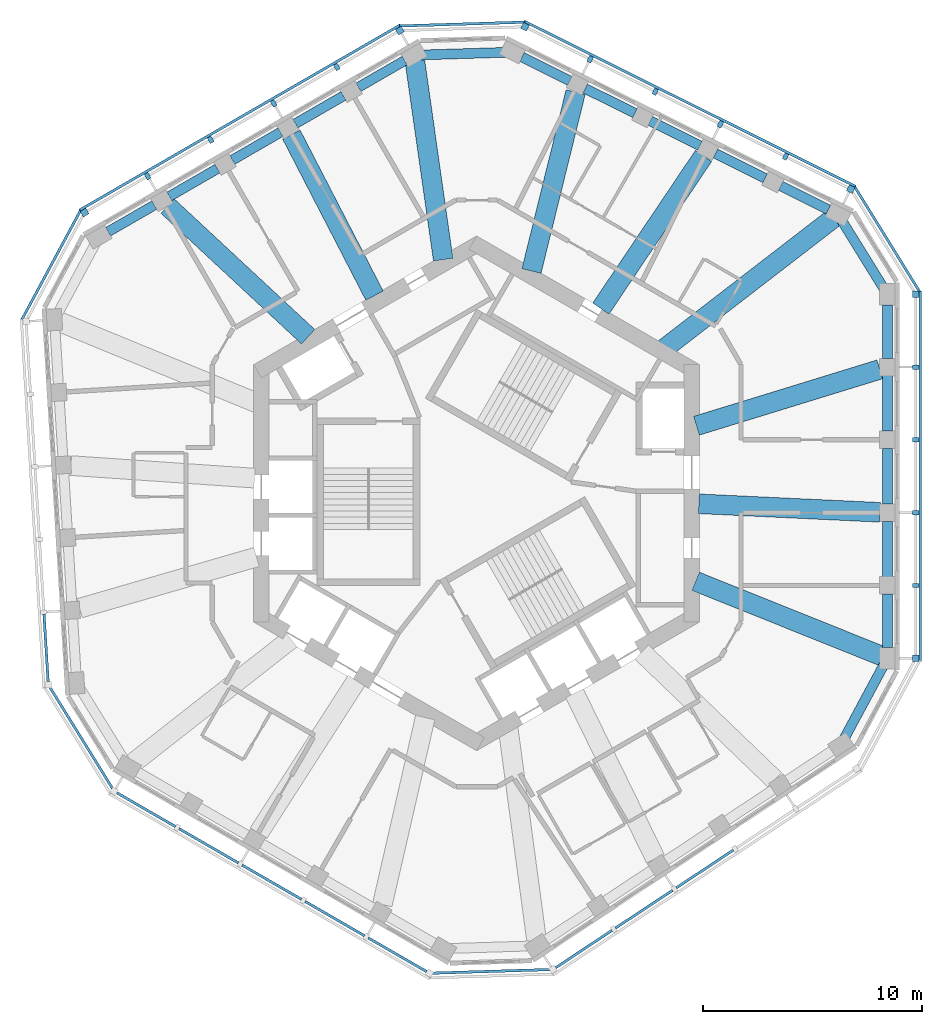
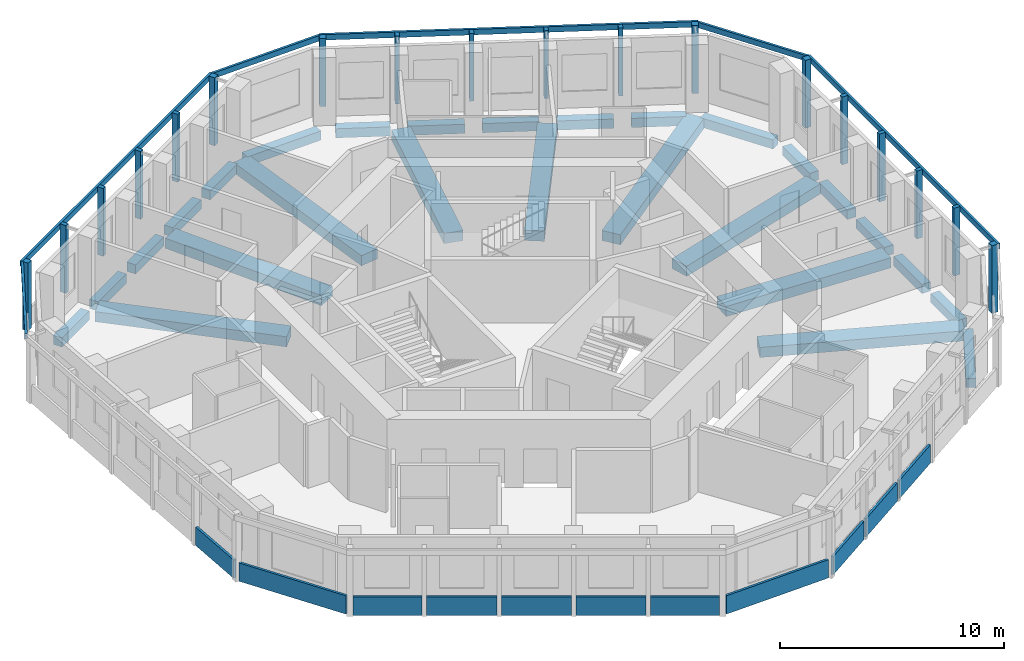
# One storey, part 2 of 11: 27 beams, 24 members, 11 plates, 11 elements without a shape of their own.
"""IFC4 building model written with IfcOpenShell, lengths in metres."""

from ifc_helpers import new_model, si_unit, direction, frame, origin, origin_2d, place, context, subcontext, project, spatial, rectangle, extrude, material, layer, layer_set, material_profile, profile_set, type_object, element, aggregate, save


model = new_model("IFC4")

# Units and contexts
model_context = context("Model", 3, precision=1e-05, world=origin(), true_north=direction((0.0, 1.0)))
body_context = subcontext(model_context, "Body", "Model", "MODEL_VIEW")
ifc_project = project(units=[si_unit("LENGTHUNIT", "METRE"), si_unit("AREAUNIT", "SQUARE_METRE"), si_unit("VOLUMEUNIT", "CUBIC_METRE"), si_unit("PLANEANGLEUNIT", "RADIAN"), si_unit("MASSUNIT", "GRAM", prefix="KILO")], contexts=[model_context])

# Site, building, storey
site_placement = place(None, origin())
site = spatial("IfcSite", under=ifc_project, at=site_placement, CompositionType="ELEMENT")
building_placement = place(site_placement, origin())
building = spatial("IfcBuilding", under=site, at=building_placement, Name="Vanh Sen Convention Tower", CompositionType="ELEMENT")
storey_placement = place(building_placement, frame((0.0, 0.0, 289.39990234375)))
storey = spatial("IfcBuildingStorey", under=building, at=storey_placement, Name="L71", CompositionType="ELEMENT", Elevation=289.39990234375)

# Curtain wall, members
ifc_material_1 = material(Name="Concrete C50/60", Category="concrete")
curtain_wall_type = type_object("IfcCurtainWallType", Name="Outer skin office zone", PredefinedType="NOTDEFINED", material=ifc_material_1)
curtain_wall_1_placement = place(storey_placement, origin())
curtain_wall_1 = element("IfcCurtainWall", 1, at=curtain_wall_1_placement, inside=storey, type_object=curtain_wall_type, Name="OUTER SKIN E L71", PredefinedType="NOTDEFINED")
ifc_material_profile_1 = material_profile(ifc_material_1, rectangle(XDim=0.300048828125, YDim=0.300048828125, at=origin_2d()), Name="Outer skin precast corner fin 300 x 300")
ifc_profile_set_1 = profile_set([ifc_material_profile_1], Name="Concrete C50/60")
member_type_1 = type_object("IfcMemberType", Name="Outer skin precast corner fin 300 x 300", PredefinedType="MULLION", material=ifc_profile_set_1)
member_1_placement = place(storey_placement, frame((20.10009765625, -7.546630859375, 0.0), z_axis=(0.0, 0.0, 1.0), x_axis=(0.0, 1.0, 0.0)))
member_1 = element("IfcMember", 2, at=member_1_placement, type_object=member_type_1, Name="OUTER SKIN CORNER FIN 1 E L71", PredefinedType="MULLION", context=body_context, shape_type="SweptSolid", body=[
    extrude(rectangle(XDim=0.300048828125, YDim=0.300048828125, at=origin_2d()), origin(), (0.0, 0.0, 1.0), 3.7001953125),
])
member_2_placement = place(storey_placement, frame((20.10009765625, 9.111572265625, 0.0), z_axis=(0.0, 0.0, 1.0), x_axis=(0.0, 1.0, 0.0)))
member_2 = element("IfcMember", 3, at=member_2_placement, type_object=member_type_1, Name="OUTER SKIN CORNER FIN 6 E L71", PredefinedType="MULLION", context=body_context, shape_type="SweptSolid", body=[
    extrude(rectangle(XDim=0.300048828125, YDim=0.300048828125, at=origin_2d()), origin(), (0.0, 0.0, 1.0), 3.7001953125),
])

curtain_wall_2_placement = place(storey_placement, origin())
curtain_wall_2 = element("IfcCurtainWall", 4, at=curtain_wall_2_placement, inside=storey, type_object=curtain_wall_type, Name="OUTER SKIN NE L71", PredefinedType="NOTDEFINED")
member_3_placement = place(storey_placement, frame((17.122802734375, 13.922607421875, 0.0), z_axis=(0.0, 0.0, 1.0), x_axis=(-0.894934361602, 0.44619781311, 0.0)))
member_3 = element("IfcMember", 5, at=member_3_placement, type_object=member_type_1, Name="OUTER SKIN CORNER FIN 1 NE L71", PredefinedType="MULLION", context=body_context, shape_type="SweptSolid", body=[
    extrude(rectangle(XDim=0.300048828125, YDim=0.300048828125, at=origin_2d()), origin(), (0.0, 0.0, 1.0), 3.7001953125),
])
member_4_placement = place(storey_placement, frame((2.21484375, 21.35546875, 0.0), z_axis=(0.0, 0.0, 1.0), x_axis=(-0.894934361602, 0.44619781311, 0.0)))
member_4 = element("IfcMember", 6, at=member_4_placement, type_object=member_type_1, Name="OUTER SKIN CORNER FIN 6 NE L71", PredefinedType="MULLION", context=body_context, shape_type="SweptSolid", body=[
    extrude(rectangle(XDim=0.300048828125, YDim=0.300048828125, at=origin_2d()), origin(), (0.0, 0.0, 1.0), 3.7001953125),
])

curtain_wall_3_placement = place(storey_placement, origin())
curtain_wall_3 = element("IfcCurtainWall", 7, at=curtain_wall_3_placement, inside=storey, type_object=curtain_wall_type, Name="OUTER SKIN NW L71", PredefinedType="NOTDEFINED")
member_5_placement = place(storey_placement, frame((-3.514404296875, 21.180419921875, 0.0), z_axis=(0.0, 0.0, 1.0), x_axis=(-0.866025403784, -0.5, 0.0)))
member_5 = element("IfcMember", 8, at=member_5_placement, type_object=member_type_1, Name="OUTER SKIN CORNER FIN 1 NW L71", PredefinedType="MULLION", context=body_context, shape_type="SweptSolid", body=[
    extrude(rectangle(XDim=0.300048828125, YDim=0.300048828125, at=origin_2d()), origin(), (0.0, 0.0, 1.0), 3.7001953125),
])
member_6_placement = place(storey_placement, frame((-17.94091796875, 12.851318359375, 0.0), z_axis=(0.0, 0.0, 1.0), x_axis=(-0.866025403784, -0.5, 0.0)))
member_6 = element("IfcMember", 9, at=member_6_placement, type_object=member_type_1, Name="OUTER SKIN CORNER FIN 6 NW L71", PredefinedType="MULLION", context=body_context, shape_type="SweptSolid", body=[
    extrude(rectangle(XDim=0.300048828125, YDim=0.300048828125, at=origin_2d()), origin(), (0.0, 0.0, 1.0), 3.7001953125),
])

# Member
ifc_material_profile_2 = material_profile(ifc_material_1, rectangle(XDim=0.199951171875, YDim=0.300048828125, at=origin_2d()), Name="Outer skin precast fin 200 x 300")
ifc_profile_set_2 = profile_set([ifc_material_profile_2], Name="Concrete C50/60")
member_type_2 = type_object("IfcMemberType", Name="Outer skin precast fin 200 x 300", PredefinedType="MULLION", material=ifc_profile_set_2)
member_7_placement = place(storey_placement, frame((20.10009765625, -4.215087890625, 0.0), z_axis=(0.0, 0.0, 1.0), x_axis=(0.0, 1.0, 0.0)))
member_7 = element("IfcMember", 10, at=member_7_placement, type_object=member_type_2, Name="OUTER SKIN fin 2 E L71", PredefinedType="MULLION", context=body_context, shape_type="SweptSolid", body=[
    extrude(rectangle(XDim=0.199951171875, YDim=0.300048828125, at=origin_2d()), origin(), (0.0, 0.0, 1.0), 3.7001953125),
])

member_8_placement = place(storey_placement, frame((20.10009765625, -0.88330078125, 0.0), z_axis=(0.0, 0.0, 1.0), x_axis=(0.0, 1.0, 0.0)))
member_8 = element("IfcMember", 11, at=member_8_placement, type_object=member_type_2, Name="OUTER SKIN fin 3 E L71", PredefinedType="MULLION", context=body_context, shape_type="SweptSolid", body=[
    extrude(rectangle(XDim=0.199951171875, YDim=0.300048828125, at=origin_2d()), origin(), (0.0, 0.0, 1.0), 3.7001953125),
])

member_9_placement = place(storey_placement, frame((20.10009765625, 2.4482421875, 0.0), z_axis=(0.0, 0.0, 1.0), x_axis=(0.0, 1.0, 0.0)))
member_9 = element("IfcMember", 12, at=member_9_placement, type_object=member_type_2, Name="OUTER SKIN fin 4 E L71", PredefinedType="MULLION", context=body_context, shape_type="SweptSolid", body=[
    extrude(rectangle(XDim=0.199951171875, YDim=0.300048828125, at=origin_2d()), origin(), (0.0, 0.0, 1.0), 3.7001953125),
])

member_10_placement = place(storey_placement, frame((20.10009765625, 5.77978515625, 0.0), z_axis=(0.0, 0.0, 1.0), x_axis=(0.0, 1.0, 0.0)))
member_10 = element("IfcMember", 13, at=member_10_placement, type_object=member_type_2, Name="OUTER SKIN fin 5 E L71", PredefinedType="MULLION", context=body_context, shape_type="SweptSolid", body=[
    extrude(rectangle(XDim=0.199951171875, YDim=0.300048828125, at=origin_2d()), origin(), (0.0, 0.0, 1.0), 3.7001953125),
])

member_11_placement = place(storey_placement, frame((14.14111328125, 15.4091796875, 0.0), z_axis=(0.0, 0.0, 1.0), x_axis=(-0.894934361602, 0.44619781311, 0.0)))
member_11 = element("IfcMember", 14, at=member_11_placement, type_object=member_type_2, Name="OUTER SKIN fin 2 NE L71", PredefinedType="MULLION", context=body_context, shape_type="SweptSolid", body=[
    extrude(rectangle(XDim=0.199951171875, YDim=0.300048828125, at=origin_2d()), origin(), (0.0, 0.0, 1.0), 3.7001953125),
])

member_12_placement = place(storey_placement, frame((11.15966796875, 16.895751953125, 0.0), z_axis=(0.0, 0.0, 1.0), x_axis=(-0.894934361602, 0.44619781311, 0.0)))
member_12 = element("IfcMember", 15, at=member_12_placement, type_object=member_type_2, Name="OUTER SKIN fin 3 NE L71", PredefinedType="MULLION", context=body_context, shape_type="SweptSolid", body=[
    extrude(rectangle(XDim=0.199951171875, YDim=0.300048828125, at=origin_2d()), origin(), (0.0, 0.0, 1.0), 3.7001953125),
])

member_13_placement = place(storey_placement, frame((8.177978515625, 18.38232421875, 0.0), z_axis=(0.0, 0.0, 1.0), x_axis=(-0.894934361602, 0.44619781311, 0.0)))
member_13 = element("IfcMember", 16, at=member_13_placement, type_object=member_type_2, Name="OUTER SKIN fin 4 NE L71", PredefinedType="MULLION", context=body_context, shape_type="SweptSolid", body=[
    extrude(rectangle(XDim=0.199951171875, YDim=0.300048828125, at=origin_2d()), origin(), (0.0, 0.0, 1.0), 3.7001953125),
])

member_14_placement = place(storey_placement, frame((5.1962890625, 19.868896484375, 0.0), z_axis=(0.0, 0.0, 1.0), x_axis=(-0.894934361602, 0.44619781311, 0.0)))
member_14 = element("IfcMember", 17, at=member_14_placement, type_object=member_type_2, Name="OUTER SKIN fin 5 NE L71", PredefinedType="MULLION", context=body_context, shape_type="SweptSolid", body=[
    extrude(rectangle(XDim=0.199951171875, YDim=0.300048828125, at=origin_2d()), origin(), (0.0, 0.0, 1.0), 3.7001953125),
])

member_15_placement = place(storey_placement, frame((-6.399658203125, 19.5146484375, 0.0), z_axis=(0.0, 0.0, 1.0), x_axis=(-0.866025403784, -0.5, 0.0)))
member_15 = element("IfcMember", 18, at=member_15_placement, type_object=member_type_2, Name="OUTER SKIN fin 2 NW L71", PredefinedType="MULLION", context=body_context, shape_type="SweptSolid", body=[
    extrude(rectangle(XDim=0.199951171875, YDim=0.300048828125, at=origin_2d()), origin(), (0.0, 0.0, 1.0), 3.7001953125),
])

member_16_placement = place(storey_placement, frame((-9.284912109375, 17.848876953125, 0.0), z_axis=(0.0, 0.0, 1.0), x_axis=(-0.866025403784, -0.5, 0.0)))
member_16 = element("IfcMember", 19, at=member_16_placement, type_object=member_type_2, Name="OUTER SKIN fin 3 NW L71", PredefinedType="MULLION", context=body_context, shape_type="SweptSolid", body=[
    extrude(rectangle(XDim=0.199951171875, YDim=0.300048828125, at=origin_2d()), origin(), (0.0, 0.0, 1.0), 3.7001953125),
])

member_17_placement = place(storey_placement, frame((-12.170166015625, 16.18310546875, 0.0), z_axis=(0.0, 0.0, 1.0), x_axis=(-0.866025403784, -0.5, 0.0)))
member_17 = element("IfcMember", 20, at=member_17_placement, type_object=member_type_2, Name="OUTER SKIN fin 4 NW L71", PredefinedType="MULLION", context=body_context, shape_type="SweptSolid", body=[
    extrude(rectangle(XDim=0.199951171875, YDim=0.300048828125, at=origin_2d()), origin(), (0.0, 0.0, 1.0), 3.7001953125),
])

member_18_placement = place(storey_placement, frame((-15.055419921875, 14.51708984375, 0.0), z_axis=(0.0, 0.0, 1.0), x_axis=(-0.866025403784, -0.5, 0.0)))
member_18 = element("IfcMember", 21, at=member_18_placement, type_object=member_type_2, Name="OUTER SKIN fin 5 NW L71", PredefinedType="MULLION", context=body_context, shape_type="SweptSolid", body=[
    extrude(rectangle(XDim=0.199951171875, YDim=0.300048828125, at=origin_2d()), origin(), (0.0, 0.0, 1.0), 3.7001953125),
])

ifc_material_profile_3 = material_profile(ifc_material_1, rectangle(XDim=0.1201171875, YDim=0.300048828125, at=origin_2d()), Name="Outer skin precast spandrel band 300 x 120")
ifc_profile_set_3 = profile_set([ifc_material_profile_3], Name="Concrete C50/60")
member_type_3 = type_object("IfcMemberType", Name="Outer skin precast spandrel band 300 x 120", PredefinedType="USERDEFINED", material=ifc_profile_set_3)
member_19_placement = place(storey_placement, frame((20.31005859375, -7.69677734375, 3.550048828125), z_axis=(0.0, 1.0, 0.0), x_axis=(-1.0, 0.0, 0.0)))
member_19 = element("IfcMember", 22, at=member_19_placement, type_object=member_type_3, Name="OUTER SKIN spandrel band E L71", ObjectType="TRANSOM", PredefinedType="USERDEFINED", context=body_context, shape_type="SweptSolid", body=[
    extrude(rectangle(XDim=0.1201171875, YDim=0.300048828125, at=origin_2d()), origin(), (0.0, 0.0, 1.0), 16.958251953125),
])

aggregate(curtain_wall_1, [member_1, member_7, member_8, member_9, member_10, member_2, member_19])

# Curtain wall, member
curtain_wall_4_placement = place(storey_placement, origin())
curtain_wall_4 = element("IfcCurtainWall", 23, at=curtain_wall_4_placement, inside=storey, type_object=curtain_wall_type, Name="OUTER SKIN CH1 L71", PredefinedType="NOTDEFINED")
member_20_placement = place(storey_placement, frame((20.278564453125, 9.221923828125, 3.550048828125), z_axis=(-0.52621200061, 0.850353415007, 0.0), x_axis=(-0.850353415007, -0.52621200061, 0.0)))
member_20 = element("IfcMember", 24, at=member_20_placement, type_object=member_type_3, Name="OUTER SKIN spandrel band CH1 L71", ObjectType="TRANSOM", PredefinedType="USERDEFINED", context=body_context, shape_type="SweptSolid", body=[
    extrude(rectangle(XDim=0.1201171875, YDim=0.300048828125, at=origin_2d()), origin(), (0.0, 0.0, 1.0), 5.657958984375),
])
aggregate(curtain_wall_4, [member_20])

# Member
member_21_placement = place(storey_placement, frame((17.3505859375, 14.043701171875, 3.550048828125), z_axis=(-0.894933383827, 0.446199774218, 0.0), x_axis=(-0.446199774218, -0.894933383827, 0.0)))
member_21 = element("IfcMember", 25, at=member_21_placement, type_object=member_type_3, Name="OUTER SKIN spandrel band NE L71", ObjectType="TRANSOM", PredefinedType="USERDEFINED", context=body_context, shape_type="SweptSolid", body=[
    extrude(rectangle(XDim=0.1201171875, YDim=0.300048828125, at=origin_2d()), origin(), (0.0, 0.0, 1.0), 16.9580078125),
])

aggregate(curtain_wall_2, [member_3, member_11, member_12, member_13, member_14, member_4, member_21])

# Curtain wall, member
curtain_wall_5_placement = place(storey_placement, origin())
curtain_wall_5 = element("IfcCurtainWall", 26, at=curtain_wall_5_placement, inside=storey, type_object=curtain_wall_type, Name="OUTER SKIN CH2 L71", PredefinedType="NOTDEFINED")
member_22_placement = place(storey_placement, frame((2.208251953125, 21.5654296875, 3.550048828125), z_axis=(-0.999533527312, -0.030540592307, 0.0), x_axis=(0.030540592307, -0.999533527312, 0.0)))
member_22 = element("IfcMember", 27, at=member_22_placement, type_object=member_type_3, Name="OUTER SKIN spandrel band CH2 L71", ObjectType="TRANSOM", PredefinedType="USERDEFINED", context=body_context, shape_type="SweptSolid", body=[
    extrude(rectangle(XDim=0.1201171875, YDim=0.300048828125, at=origin_2d()), origin(), (0.0, 0.0, 1.0), 5.731689453125),
])
aggregate(curtain_wall_5, [member_22])

# Member
member_23_placement = place(storey_placement, frame((-3.489501953125, 21.4375, 3.550048828125), z_axis=(-0.866022320763, -0.500005339912, 0.0), x_axis=(0.500005339912, -0.866022320763, 0.0)))
member_23 = element("IfcMember", 28, at=member_23_placement, type_object=member_type_3, Name="OUTER SKIN spandrel band NW L71", ObjectType="TRANSOM", PredefinedType="USERDEFINED", context=body_context, shape_type="SweptSolid", body=[
    extrude(rectangle(XDim=0.1201171875, YDim=0.300048828125, at=origin_2d()), origin(), (0.0, 0.0, 1.0), 16.958251953125),
])

aggregate(curtain_wall_3, [member_5, member_15, member_16, member_17, member_18, member_6, member_23])

# Curtain wall, member
curtain_wall_6_placement = place(storey_placement, origin())
curtain_wall_6 = element("IfcCurtainWall", 29, at=curtain_wall_6_placement, inside=storey, type_object=curtain_wall_type, Name="OUTER SKIN CH3 L71", PredefinedType="NOTDEFINED")
member_24_placement = place(storey_placement, frame((-18.125732421875, 12.95068359375, 3.550048828125), z_axis=(-0.473325096028, -0.880887821161, 0.0), x_axis=(0.880887821161, -0.473325096028, 0.0)))
member_24 = element("IfcMember", 30, at=member_24_placement, type_object=member_type_3, Name="OUTER SKIN spandrel band CH3 L71", ObjectType="TRANSOM", PredefinedType="USERDEFINED", context=body_context, shape_type="SweptSolid", body=[
    extrude(rectangle(XDim=0.1201171875, YDim=0.300048828125, at=origin_2d()), origin(), (0.0, 0.0, 1.0), 5.65771484375),
])
aggregate(curtain_wall_6, [member_24])

# Beams
ifc_material_2 = material(Name="Concrete C50/60", Category="concrete")
ifc_material_profile_4 = material_profile(ifc_material_2, rectangle(XDim=0.89990234375, YDim=0.550048828125, at=origin_2d()), Name="RC 900X550")
ifc_profile_set_4 = profile_set([ifc_material_profile_4], Name="Concrete C50/60")
beam_type_1 = type_object("IfcBeamType", Name="Radial floor beam 900 x 550", PredefinedType="BEAM", material=ifc_profile_set_4)
beam_1_placement = place(storey_placement, frame((18.622314453125, -7.475341796875, -0.554931640625), z_axis=(-0.928026959264, 0.372513037194, 0.0), x_axis=(-0.372513037194, -0.928026959264, 0.0)))
element("IfcBeam", 31, at=beam_1_placement, inside=storey, type_object=beam_type_1, Name="Radial beam 01 L71", PredefinedType="BEAM", context=body_context, shape_type="SweptSolid", body=[
    extrude(rectangle(XDim=0.89990234375, YDim=0.550048828125, at=origin_2d()), origin(), (0.0, 0.0, 1.0), 9.26123046875),
])
beam_2_placement = place(storey_placement, frame((18.455078125, -0.8671875, -0.554931640625), z_axis=(-0.998897657942, 0.046941122251, 0.0), x_axis=(-0.046941122251, -0.998897657942, 0.0)))
element("IfcBeam", 32, at=beam_2_placement, inside=storey, type_object=beam_type_1, Name="Radial beam 02 L71", PredefinedType="BEAM", context=body_context, shape_type="SweptSolid", body=[
    extrude(rectangle(XDim=0.89990234375, YDim=0.550048828125, at=origin_2d()), origin(), (0.0, 0.0, 1.0), 8.290283203125),
])
beam_3_placement = place(storey_placement, frame((18.454833984375, 5.673828125, -0.554931640625), z_axis=(-0.955843920829, -0.293874801598, 0.0), x_axis=(0.293874801598, -0.955843920829, 0.0)))
element("IfcBeam", 33, at=beam_3_placement, inside=storey, type_object=beam_type_1, Name="Radial beam 03 L71", PredefinedType="BEAM", context=body_context, shape_type="SweptSolid", body=[
    extrude(rectangle(XDim=0.89990234375, YDim=0.550048828125, at=origin_2d()), origin(), (0.0, 0.0, 1.0), 8.779541015625),
])
beam_4_placement = place(storey_placement, frame((16.411376953125, 12.657958984375, -0.554931640625), z_axis=(-0.79182558746, -0.610747279194, 0.0), x_axis=(0.610747279194, -0.79182558746, 0.0)))
element("IfcBeam", 34, at=beam_4_placement, inside=storey, type_object=beam_type_1, Name="Radial beam 04 L71", PredefinedType="BEAM", context=body_context, shape_type="SweptSolid", body=[
    extrude(rectangle(XDim=0.89990234375, YDim=0.550048828125, at=origin_2d()), origin(), (0.0, 0.0, 1.0), 9.88671875),
])
beam_5_placement = place(storey_placement, frame((10.385498046875, 15.443603515625, -0.554931640625), z_axis=(-0.558040264106, -0.829813872887, 0.0), x_axis=(0.829813872887, -0.558040264106, 0.0)))
element("IfcBeam", 35, at=beam_5_placement, inside=storey, type_object=beam_type_1, Name="Radial beam 05 L71", PredefinedType="BEAM", context=body_context, shape_type="SweptSolid", body=[
    extrude(rectangle(XDim=0.89990234375, YDim=0.550048828125, at=origin_2d()), origin(), (0.0, 0.0, 1.0), 8.422607421875),
])
beam_6_placement = place(storey_placement, frame((4.531494140625, 18.362060546875, -0.554931640625), z_axis=(-0.239597489025, -0.970872310478, 0.0), x_axis=(0.970872310478, -0.239597489025, 0.0)))
element("IfcBeam", 36, at=beam_6_placement, inside=storey, type_object=beam_type_1, Name="Radial beam 06 L71", PredefinedType="BEAM", context=body_context, shape_type="SweptSolid", body=[
    extrude(rectangle(XDim=0.89990234375, YDim=0.550048828125, at=origin_2d()), origin(), (0.0, 0.0, 1.0), 8.429931640625),
])
beam_7_placement = place(storey_placement, frame((-2.837158203125, 19.864990234375, -0.554931640625), z_axis=(0.14138075825, -0.989955292524, 0.0), x_axis=(0.989955292524, 0.14138075825, 0.0)))
element("IfcBeam", 37, at=beam_7_placement, inside=storey, type_object=beam_type_1, Name="Radial beam 07 L71", PredefinedType="BEAM", context=body_context, shape_type="SweptSolid", body=[
    extrude(rectangle(XDim=0.89990234375, YDim=0.550048828125, at=origin_2d()), origin(), (0.0, 0.0, 1.0), 9.260986328125),
])
beam_8_placement = place(storey_placement, frame((-8.476318359375, 16.416015625, -0.554931640625), z_axis=(0.458790692305, -0.888544371798, 0.0), x_axis=(0.888544371798, 0.458790692305, 0.0)))
element("IfcBeam", 38, at=beam_8_placement, inside=storey, type_object=beam_type_1, Name="Radial beam 08 L71", PredefinedType="BEAM", context=body_context, shape_type="SweptSolid", body=[
    extrude(rectangle(XDim=0.89990234375, YDim=0.550048828125, at=origin_2d()), origin(), (0.0, 0.0, 1.0), 8.290283203125),
])
beam_9_placement = place(storey_placement, frame((-14.14111328125, 13.1455078125, -0.554931640625), z_axis=(0.732427923733, -0.680844575902, 0.0), x_axis=(0.680844575902, 0.732427923733, 0.0)))
element("IfcBeam", 39, at=beam_9_placement, inside=storey, type_object=beam_type_1, Name="Radial beam 09 L71", PredefinedType="BEAM", context=body_context, shape_type="SweptSolid", body=[
    extrude(rectangle(XDim=0.89990234375, YDim=0.550048828125, at=origin_2d()), origin(), (0.0, 0.0, 1.0), 8.779541015625),
])
ifc_material_profile_5 = material_profile(ifc_material_2, rectangle(XDim=0.449951171875, YDim=0.5, at=origin_2d()), Name="RC 450X500")
ifc_profile_set_5 = profile_set([ifc_material_profile_5], Name="Concrete C50/60")
beam_type_2 = type_object("IfcBeamType", Name="Spandrel beam 450 x 500", PredefinedType="SPANDREL", material=ifc_profile_set_5)
beam_10_placement = place(storey_placement, frame((18.800048828125, -7.0517578125, -0.52978515625), z_axis=(0.0, 1.0, 0.0), x_axis=(-1.0, 0.0, 0.0)))
element("IfcBeam", 40, at=beam_10_placement, inside=storey, type_object=beam_type_2, Name="Spandrel beam 01 L71", PredefinedType="SPANDREL", context=body_context, shape_type="SweptSolid", body=[
    extrude(rectangle(XDim=0.449951171875, YDim=0.5, at=origin_2d()), origin(), (0.0, 0.0, 1.0), 2.441650390625),
])
beam_11_placement = place(storey_placement, frame((18.800048828125, -3.820068359375, -0.52978515625), z_axis=(0.0, 1.0, 0.0), x_axis=(-1.0, 0.0, 0.0)))
element("IfcBeam", 41, at=beam_11_placement, inside=storey, type_object=beam_type_2, Name="Spandrel beam 02 L71", PredefinedType="SPANDREL", context=body_context, shape_type="SweptSolid", body=[
    extrude(rectangle(XDim=0.449951171875, YDim=0.5, at=origin_2d()), origin(), (0.0, 0.0, 1.0), 2.541748046875),
])
beam_12_placement = place(storey_placement, frame((18.800048828125, -0.48828125, -0.52978515625), z_axis=(0.0, 1.0, 0.0), x_axis=(-1.0, 0.0, 0.0)))
element("IfcBeam", 42, at=beam_12_placement, inside=storey, type_object=beam_type_2, Name="Spandrel beam 03 L71", PredefinedType="SPANDREL", context=body_context, shape_type="SweptSolid", body=[
    extrude(rectangle(XDim=0.449951171875, YDim=0.5, at=origin_2d()), origin(), (0.0, 0.0, 1.0), 2.54150390625),
])
beam_13_placement = place(storey_placement, frame((18.800048828125, 2.84326171875, -0.52978515625), z_axis=(0.0, 1.0, 0.0), x_axis=(-1.0, 0.0, 0.0)))
element("IfcBeam", 43, at=beam_13_placement, inside=storey, type_object=beam_type_2, Name="Spandrel beam 04 L71", PredefinedType="SPANDREL", context=body_context, shape_type="SweptSolid", body=[
    extrude(rectangle(XDim=0.449951171875, YDim=0.5, at=origin_2d()), origin(), (0.0, 0.0, 1.0), 2.541748046875),
])
beam_14_placement = place(storey_placement, frame((18.800048828125, 6.1748046875, -0.52978515625), z_axis=(0.0, 1.0, 0.0), x_axis=(-1.0, 0.0, 0.0)))
element("IfcBeam", 44, at=beam_14_placement, inside=storey, type_object=beam_type_2, Name="Spandrel beam 05 L71", PredefinedType="SPANDREL", context=body_context, shape_type="SweptSolid", body=[
    extrude(rectangle(XDim=0.449951171875, YDim=0.5, at=origin_2d()), origin(), (0.0, 0.0, 1.0), 2.441650390625),
])
beam_15_placement = place(storey_placement, frame((18.64404296875, 9.36376953125, -0.52978515625), z_axis=(-0.526247747243, 0.850331293392, 0.0), x_axis=(-0.850331293392, -0.526247747243, 0.0)))
element("IfcBeam", 45, at=beam_15_placement, inside=storey, type_object=beam_type_2, Name="Spandrel beam 06 L71", PredefinedType="SPANDREL", context=body_context, shape_type="SweptSolid", body=[
    extrude(rectangle(XDim=0.449951171875, YDim=0.5, at=origin_2d()), origin(), (0.0, 0.0, 1.0), 3.696533203125),
])
beam_16_placement = place(storey_placement, frame((16.099609375, 12.97998046875, -0.52978515625), z_axis=(-0.894906625839, 0.446253438114, 0.0), x_axis=(-0.446253438114, -0.894906625839, 0.0)))
element("IfcBeam", 46, at=beam_16_placement, inside=storey, type_object=beam_type_2, Name="Spandrel beam 07 L71", PredefinedType="SPANDREL", context=body_context, shape_type="SweptSolid", body=[
    extrude(rectangle(XDim=0.449951171875, YDim=0.5, at=origin_2d()), origin(), (0.0, 0.0, 1.0), 2.441650390625),
])
beam_17_placement = place(storey_placement, frame((13.20751953125, 14.422119140625, -0.52978515625), z_axis=(-0.894926162451, 0.446214257684, 0.0), x_axis=(-0.446214257684, -0.894926162451, 0.0)))
element("IfcBeam", 47, at=beam_17_placement, inside=storey, type_object=beam_type_2, Name="Spandrel beam 08 L71", PredefinedType="SPANDREL", context=body_context, shape_type="SweptSolid", body=[
    extrude(rectangle(XDim=0.449951171875, YDim=0.5, at=origin_2d()), origin(), (0.0, 0.0, 1.0), 2.54150390625),
])
for number, where, z_axis, x_axis, name in (
    (48, (10.22607421875, 15.90869140625, -0.52978515625), (-0.894945286886, 0.446175899709, 0.0), (-0.446175899709, -0.894945286886, 0.0), "Spandrel beam 09 L71"),
    (49, (7.244384765625, 17.395263671875, -0.52978515625), (-0.894945286886, 0.446175899709, 0.0), (-0.446175899709, -0.894945286886, 0.0), "Spandrel beam 10 L71"),
):
    element("IfcBeam", number, at=place(storey_placement, frame(where, z_axis=z_axis, x_axis=x_axis)), inside=storey, type_object=beam_type_2, Name=name, PredefinedType="SPANDREL", context=body_context, shape_type="SweptSolid", body=[
        extrude(rectangle(XDim=0.449951171875, YDim=0.5, at=origin_2d()), origin(), (0.0, 0.0, 1.0), 2.541748046875),
    ])
beam_18_placement = place(storey_placement, frame((4.2626953125, 18.881591796875, -0.52978515625), z_axis=(-0.894906625839, 0.446253438114, 0.0), x_axis=(-0.446253438114, -0.894906625839, 0.0)))
element("IfcBeam", 50, at=beam_18_placement, inside=storey, type_object=beam_type_2, Name="Spandrel beam 11 L71", PredefinedType="SPANDREL", context=body_context, shape_type="SweptSolid", body=[
    extrude(rectangle(XDim=0.449951171875, YDim=0.5, at=origin_2d()), origin(), (0.0, 0.0, 1.0), 2.441650390625),
])
beam_19_placement = place(storey_placement, frame((1.319091796875, 20.1826171875, -0.52978515625), z_axis=(-0.9995317546, -0.030598554629, 0.0), x_axis=(0.030598554629, -0.9995317546, 0.0)))
element("IfcBeam", 51, at=beam_19_placement, inside=storey, type_object=beam_type_2, Name="Spandrel beam 12 L71", PredefinedType="SPANDREL", context=body_context, shape_type="SweptSolid", body=[
    extrude(rectangle(XDim=0.449951171875, YDim=0.5, at=origin_2d()), origin(), (0.0, 0.0, 1.0), 3.86962890625),
])
beam_20_placement = place(storey_placement, frame((-3.29296875, 19.80712890625, -0.52978515625), z_axis=(-0.866000753341, -0.500042693391, 0.0), x_axis=(0.500042693391, -0.866000753341, 0.0)))
element("IfcBeam", 52, at=beam_20_placement, inside=storey, type_object=beam_type_2, Name="Spandrel beam 13 L71", PredefinedType="SPANDREL", context=body_context, shape_type="SweptSolid", body=[
    extrude(rectangle(XDim=0.449951171875, YDim=0.5, at=origin_2d()), origin(), (0.0, 0.0, 1.0), 2.441650390625),
])
for number, where, z_axis, x_axis, name in (
    (53, (-6.091796875, 18.19140625, -0.52978515625), (-0.86597601289, -0.500085537782, 0.0), (0.500085537782, -0.86597601289, 0.0), "Spandrel beam 14 L71"),
    (54, (-8.97705078125, 16.525390625, -0.52978515625), (-0.866017611601, -0.500013496215, 0.0), (0.500013496215, -0.866017611601, 0.0), "Spandrel beam 15 L71"),
):
    element("IfcBeam", number, at=place(storey_placement, frame(where, z_axis=z_axis, x_axis=x_axis)), inside=storey, type_object=beam_type_2, Name=name, PredefinedType="SPANDREL", context=body_context, shape_type="SweptSolid", body=[
        extrude(rectangle(XDim=0.449951171875, YDim=0.5, at=origin_2d()), origin(), (0.0, 0.0, 1.0), 2.54150390625),
    ])
beam_21_placement = place(storey_placement, frame((-11.8623046875, 14.859619140625, -0.52978515625), z_axis=(-0.866041625918, -0.499971901387, 0.0), x_axis=(0.499971901387, -0.866041625918, 0.0)))
element("IfcBeam", 55, at=beam_21_placement, inside=storey, type_object=beam_type_2, Name="Spandrel beam 16 L71", PredefinedType="SPANDREL", context=body_context, shape_type="SweptSolid", body=[
    extrude(rectangle(XDim=0.449951171875, YDim=0.5, at=origin_2d()), origin(), (0.0, 0.0, 1.0), 2.541748046875),
])
beam_22_placement = place(storey_placement, frame((-14.74755859375, 13.19384765625, -0.52978515625), z_axis=(-0.866000753341, -0.500042693391, 0.0), x_axis=(0.500042693391, -0.866000753341, 0.0)))
element("IfcBeam", 56, at=beam_22_placement, inside=storey, type_object=beam_type_2, Name="Spandrel beam 17 L71", PredefinedType="SPANDREL", context=body_context, shape_type="SweptSolid", body=[
    extrude(rectangle(XDim=0.449951171875, YDim=0.5, at=origin_2d()), origin(), (0.0, 0.0, 1.0), 2.441650390625),
])
beam_23_placement = place(storey_placement, frame((16.81884765625, -11.233642578125, -0.52978515625), z_axis=(0.473339711837, 0.880879967531, 0.0), x_axis=(-0.880879967531, 0.473339711837, 0.0)))
element("IfcBeam", 57, at=beam_23_placement, inside=storey, type_object=beam_type_2, Name="Spandrel beam 36 L71", PredefinedType="SPANDREL", context=body_context, shape_type="SweptSolid", body=[
    extrude(rectangle(XDim=0.449951171875, YDim=0.5, at=origin_2d()), origin(), (0.0, 0.0, 1.0), 3.869873046875),
])

# Curtain wall, plate
curtain_wall_7_placement = place(storey_placement, origin())
curtain_wall_7 = element("IfcCurtainWall", 58, at=curtain_wall_7_placement, inside=storey, type_object=curtain_wall_type, Name="OUTER SKIN W L71", PredefinedType="NOTDEFINED")
ifc_layer = layer(ifc_material_1, 0.1201171875)
ifc_layer_set = layer_set([ifc_layer], Name="Concrete C50/60")
plate_type = type_object("IfcPlateType", Name="Outer skin precast screen panel 120", PredefinedType="CURTAIN_PANEL", material=ifc_layer_set)
plate_1_placement = place(storey_placement, frame((-19.705078125, -7.072021484375, 0.0), z_axis=(0.0, 0.0, 1.0), x_axis=(0.061050281609, -0.998134691871, 0.0)))
plate_1 = element("IfcPlate", 59, at=plate_1_placement, type_object=plate_type, Name="OUTER SKIN screen panel W-5", PredefinedType="CURTAIN_PANEL", context=body_context, shape_type="SweptSolid", body=[
    extrude(rectangle(XDim=3.081787109375, YDim=0.1201171875, at=origin_2d()), origin(), (0.0, 0.0, 1.0), 1.0),
])
aggregate(curtain_wall_7, [plate_1])

curtain_wall_8_placement = place(storey_placement, origin())
curtain_wall_8 = element("IfcCurtainWall", 60, at=curtain_wall_8_placement, inside=storey, type_object=curtain_wall_type, Name="OUTER SKIN CH4 L71", PredefinedType="NOTDEFINED")
plate_2_placement = place(storey_placement, frame((-18.09375, -11.19677734375, 0.0), z_axis=(0.0, 0.0, 1.0), x_axis=(0.526210955359, -0.850354061823, 0.0)))
plate_2 = element("IfcPlate", 61, at=plate_2_placement, type_object=plate_type, Name="OUTER SKIN screen panel CH4-1", PredefinedType="CURTAIN_PANEL", context=body_context, shape_type="SweptSolid", body=[
    extrude(rectangle(XDim=5.431640625, YDim=0.1201171875, at=origin_2d()), origin(), (0.0, 0.0, 1.0), 1.0),
])
aggregate(curtain_wall_8, [plate_2])

# Curtain wall, plates
curtain_wall_9_placement = place(storey_placement, origin())
curtain_wall_9 = element("IfcCurtainWall", 62, at=curtain_wall_9_placement, inside=storey, type_object=curtain_wall_type, Name="OUTER SKIN SW L71", PredefinedType="NOTDEFINED")
plate_3_placement = place(storey_placement, frame((-15.121337890625, -14.47900390625, 0.0), z_axis=(0.0, 0.0, 1.0), x_axis=(0.866028894422, -0.49999395399, 0.0)))
plate_3 = element("IfcPlate", 63, at=plate_3_placement, type_object=plate_type, Name="OUTER SKIN screen panel SW-1", PredefinedType="CURTAIN_PANEL", context=body_context, shape_type="SweptSolid", body=[
    extrude(rectangle(XDim=3.08154296875, YDim=0.1201171875, at=origin_2d()), origin(), (0.0, 0.0, 1.0), 1.0),
])
plate_4_placement = place(storey_placement, frame((-12.2578125, -16.132568359375, 0.0), z_axis=(0.0, 0.0, 1.0), x_axis=(0.866015804314, -0.500016626402, 0.0)))
plate_4 = element("IfcPlate", 64, at=plate_4_placement, type_object=plate_type, Name="OUTER SKIN screen panel SW-2", PredefinedType="CURTAIN_PANEL", context=body_context, shape_type="SweptSolid", body=[
    extrude(rectangle(XDim=3.131591796875, YDim=0.1201171875, at=origin_2d()), origin(), (0.0, 0.0, 1.0), 1.0),
])
plate_5_placement = place(storey_placement, frame((-9.37255859375, -17.79833984375, 0.0), z_axis=(0.0, 0.0, 1.0), x_axis=(0.866028894422, -0.49999395399, 0.0)))
plate_5 = element("IfcPlate", 65, at=plate_5_placement, type_object=plate_type, Name="OUTER SKIN screen panel SW-3", PredefinedType="CURTAIN_PANEL", context=body_context, shape_type="SweptSolid", body=[
    extrude(rectangle(XDim=3.131591796875, YDim=0.1201171875, at=origin_2d()), origin(), (0.0, 0.0, 1.0), 1.0),
])
plate_6_placement = place(storey_placement, frame((-6.487060546875, -19.464111328125, 0.0), z_axis=(0.0, 0.0, 1.0), x_axis=(0.866028894422, -0.49999395399, 0.0)))
plate_6 = element("IfcPlate", 66, at=plate_6_placement, type_object=plate_type, Name="OUTER SKIN screen panel SW-4", PredefinedType="CURTAIN_PANEL", context=body_context, shape_type="SweptSolid", body=[
    extrude(rectangle(XDim=3.131591796875, YDim=0.1201171875, at=origin_2d()), origin(), (0.0, 0.0, 1.0), 1.0),
])
plate_7_placement = place(storey_placement, frame((-3.62353515625, -21.117431640625, 0.0), z_axis=(0.0, 0.0, 1.0), x_axis=(0.866028894422, -0.49999395399, 0.0)))
plate_7 = element("IfcPlate", 67, at=plate_7_placement, type_object=plate_type, Name="OUTER SKIN screen panel SW-5", PredefinedType="CURTAIN_PANEL", context=body_context, shape_type="SweptSolid", body=[
    extrude(rectangle(XDim=3.08154296875, YDim=0.1201171875, at=origin_2d()), origin(), (0.0, 0.0, 1.0), 1.0),
])
aggregate(curtain_wall_9, [plate_3, plate_4, plate_5, plate_6, plate_7])

# Curtain wall, plate
curtain_wall_10_placement = place(storey_placement, origin())
curtain_wall_10 = element("IfcCurtainWall", 68, at=curtain_wall_10_placement, inside=storey, type_object=curtain_wall_type, Name="OUTER SKIN CH5 L71", PredefinedType="NOTDEFINED")
plate_8_placement = place(storey_placement, frame((0.66845703125, -21.87646484375, 0.0), z_axis=(0.0, 0.0, 1.0), x_axis=(0.999533590837, 0.03053851321, 0.0)))
plate_8 = element("IfcPlate", 69, at=plate_8_placement, type_object=plate_type, Name="OUTER SKIN screen panel CH5-1", PredefinedType="CURTAIN_PANEL", context=body_context, shape_type="SweptSolid", body=[
    extrude(rectangle(XDim=5.35791015625, YDim=0.1201171875, at=origin_2d()), origin(), (0.0, 0.0, 1.0), 1.0),
])
aggregate(curtain_wall_10, [plate_8])

# Curtain wall, plates
curtain_wall_11_placement = place(storey_placement, origin())
curtain_wall_11 = element("IfcCurtainWall", 70, at=curtain_wall_11_placement, inside=storey, type_object=curtain_wall_type, Name="OUTER SKIN SE L71", PredefinedType="NOTDEFINED")
plate_9_placement = place(storey_placement, frame((4.906005859375, -20.85693359375, 0.0), z_axis=(0.0, 0.0, 1.0), x_axis=(0.833902198, 0.551912243179, 0.0)))
plate_9 = element("IfcPlate", 71, at=plate_9_placement, type_object=plate_type, Name="OUTER SKIN screen panel SE-1", PredefinedType="CURTAIN_PANEL", context=body_context, shape_type="SweptSolid", body=[
    extrude(rectangle(XDim=3.081787109375, YDim=0.1201171875, at=origin_2d()), origin(), (0.0, 0.0, 1.0), 1.0),
])
plate_10_placement = place(storey_placement, frame((7.663330078125, -19.03173828125, 0.0), z_axis=(0.0, 0.0, 1.0), x_axis=(0.833879078823, 0.551947173108, 0.0)))
plate_10 = element("IfcPlate", 72, at=plate_10_placement, type_object=plate_type, Name="OUTER SKIN screen panel SE-2", PredefinedType="CURTAIN_PANEL", context=body_context, shape_type="SweptSolid", body=[
    extrude(rectangle(XDim=3.131591796875, YDim=0.1201171875, at=origin_2d()), origin(), (0.0, 0.0, 1.0), 1.0),
])
plate_11_placement = place(storey_placement, frame((10.44140625, -17.193115234375, 0.0), z_axis=(0.0, 0.0, 1.0), x_axis=(0.833892565187, 0.551926797434, 0.0)))
plate_11 = element("IfcPlate", 73, at=plate_11_placement, type_object=plate_type, Name="OUTER SKIN screen panel SE-3", PredefinedType="CURTAIN_PANEL", context=body_context, shape_type="SweptSolid", body=[
    extrude(rectangle(XDim=3.131591796875, YDim=0.1201171875, at=origin_2d()), origin(), (0.0, 0.0, 1.0), 1.0),
])
aggregate(curtain_wall_11, [plate_9, plate_10, plate_11])

save(model, "model.ifc")
